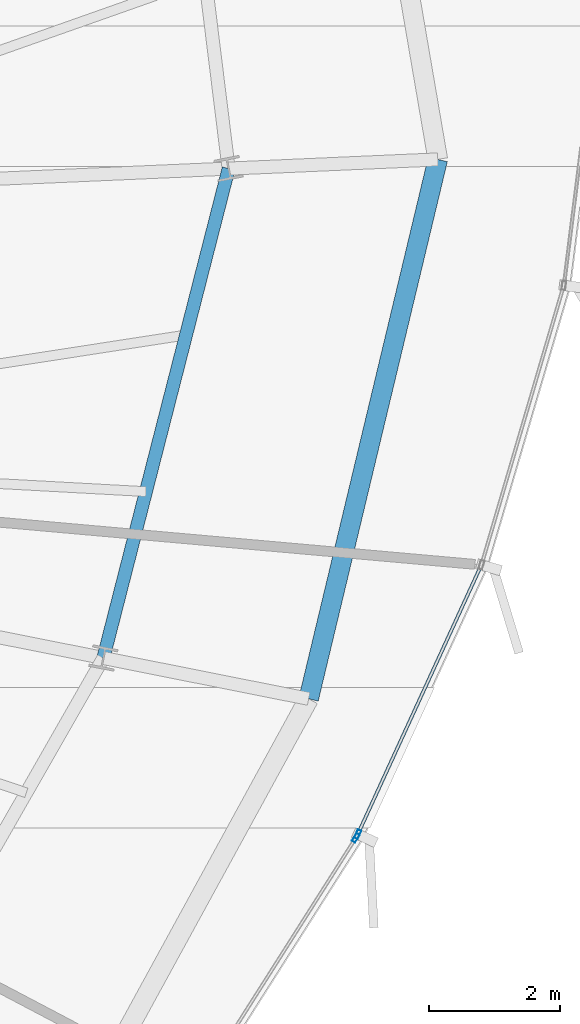
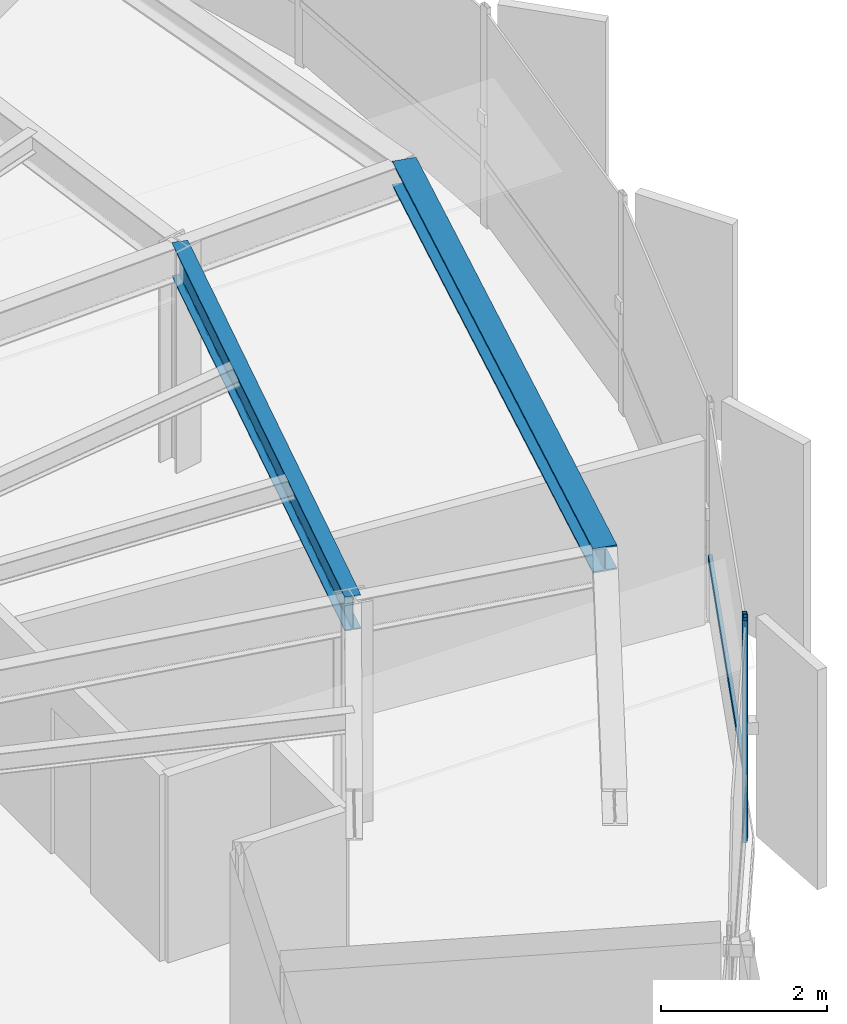
# One storey, part 17 of 34: 3 members, 2 beams, 2 elements without a shape of their own.
"""IFC4 building model written with IfcOpenShell, lengths in metres."""

from ifc_helpers import new_model, si_unit, direction, frame, origin, origin_2d, place, context, subcontext, project, spatial, hollow_rectangle, i_section, extrude, source, transform, mapped, material, layer, layer_set, material_profile, profile_set, type_object, element, aggregate, save


model = new_model("IFC4")

# Units and contexts
model_context = context("Model", 3, precision=1e-05, world=origin(), true_north=direction((0.0, 1.0)))
body_context = subcontext(model_context, "Body", "Model", "MODEL_VIEW")
ifc_project = project(units=[si_unit("LENGTHUNIT", "METRE"), si_unit("AREAUNIT", "SQUARE_METRE"), si_unit("VOLUMEUNIT", "CUBIC_METRE"), si_unit("PLANEANGLEUNIT", "RADIAN"), si_unit("MASSUNIT", "GRAM", prefix="KILO"), si_unit("THERMODYNAMICTEMPERATUREUNIT", "KELVIN")], contexts=[model_context])

# Site, building, storey
site_placement = place(None, origin())
site = spatial("IfcSite", under=ifc_project, at=site_placement, CompositionType="ELEMENT")
building_placement = place(site_placement, origin())
building = spatial("IfcBuilding", under=site, at=building_placement, Name="Kethvar Cultural Tower", CompositionType="ELEMENT")
storey_placement = place(building_placement, frame((0.0, 0.0, 186.89990234375)))
storey = spatial("IfcBuildingStorey", under=building, at=storey_placement, Name="L48", CompositionType="ELEMENT", Elevation=186.89990234375)

# Beams
ifc_material_1 = material(Name="Steel S355J2", Category="steel")
ifc_material_profile_1 = material_profile(ifc_material_1, i_section(OverallWidth=0.199951171875, OverallDepth=0.5, WebThickness=0.01025390625, FlangeThickness=0.01611328125, FilletRadius=0.02099609375, at=origin_2d()), Name="Steel S355J2 — IPE500")
ifc_profile_set_1 = profile_set([ifc_material_profile_1], Name="Steel S355J2 — IPE500")
beam_type_1 = type_object("IfcBeamType", Name="BM-IPE500", PredefinedType="BEAM", material=ifc_profile_set_1)
shared_shape_1 = source(origin(), body_context, "Body", "SweptSolid", [
    extrude(i_section(OverallWidth=0.199951171875, OverallDepth=0.5, WebThickness=0.01025390625, FlangeThickness=0.01611328125, FilletRadius=0.02099609375, at=origin_2d()), origin(), (0.0, 0.0, 1.0), 7.72265625),
])
beam_1_placement = place(storey_placement, frame((64.648681640625, 24.249755859375, 3.008056640625), z_axis=(0.248006445258, 0.968758382214, 0.0), x_axis=(-0.968758382214, 0.248006445258, 0.0)))
element("IfcBeam", 1, at=beam_1_placement, inside=storey, type_object=beam_type_1, Name="L48 Column Ring Tie Beam CR-16", PredefinedType="BEAM", context=body_context, shape_type="MappedRepresentation", body=[
    mapped(shared_shape_1, transform((0.0, 0.0, 0.0), scale=1.0)),
])
ifc_material_profile_2 = material_profile(ifc_material_1, i_section(OverallWidth=0.300048828125, OverallDepth=0.360107421875, WebThickness=0.012451171875, FlangeThickness=0.0224609375, FilletRadius=0.027099609375, at=origin_2d()), Name="Steel S355J2 — HEB360")
ifc_profile_set_2 = profile_set([ifc_material_profile_2], Name="Steel S355J2 — HEB360")
beam_type_2 = type_object("IfcBeamType", Name="BM-SP360", PredefinedType="SPANDREL", material=ifc_profile_set_2)
shared_shape_2 = source(origin(), body_context, "Body", "SweptSolid", [
    extrude(i_section(OverallWidth=0.300048828125, OverallDepth=0.360107421875, WebThickness=0.012451171875, FlangeThickness=0.0224609375, FilletRadius=0.027099609375, at=origin_2d()), origin(), (0.0, 0.0, 1.0), 8.47900390625),
])
beam_2_placement = place(storey_placement, frame((67.787109375, 23.62548828125, 3.078125), z_axis=(0.232794647368, 0.97252591336, 0.0), x_axis=(-0.97252591336, 0.232794647368, 0.0)))
element("IfcBeam", 2, at=beam_2_placement, inside=storey, type_object=beam_type_2, Name="L48 Perimeter Spandrel Beam SP-16", PredefinedType="SPANDREL", context=body_context, shape_type="MappedRepresentation", body=[
    mapped(shared_shape_2, transform((0.0, 0.0, 0.0), scale=1.0)),
])

# Curtain wall, member
ifc_material_2 = material(Name="Aluminium 6063-T6", Category="aluminium")
ifc_layer = layer(ifc_material_2, 0.179931640625, Name="Aluminium 6063-T6", Category="aluminium")
ifc_layer_set = layer_set([ifc_layer], Name="Aluminium 6063-T6 (180 mm)")
curtain_wall_type = type_object("IfcCurtainWallType", Name="CW-SYS-04-Z34", PredefinedType="NOTDEFINED", material=ifc_layer_set)
curtain_wall_1_placement = place(storey_placement, origin())
curtain_wall_1 = element("IfcCurtainWall", 3, at=curtain_wall_1_placement, inside=storey, type_object=curtain_wall_type, Name="L48 Curtain Wall Run 05", PredefinedType="NOTDEFINED")
ifc_material_profile_3 = material_profile(ifc_material_2, hollow_rectangle(XDim=0.06005859375, YDim=0.139892578125, WallThickness=0.0048828125, at=origin_2d()), Name="Aluminium 6063-T6 — RHS140x60x5")
ifc_profile_set_3 = profile_set([ifc_material_profile_3], Name="Aluminium 6063-T6 — RHS140x60x5")
member_type_1 = type_object("IfcMemberType", Name="CW-SYS-04-Z34-MUL", PredefinedType="MULLION", material=ifc_profile_set_3)
shared_shape_3 = source(origin(), body_context, "Body", "SweptSolid", [
    extrude(hollow_rectangle(XDim=0.06005859375, YDim=0.139892578125, WallThickness=0.0048828125, at=origin_2d()), origin(), (0.0, 0.0, 1.0), 3.260009765625),
])
member_1_placement = place(storey_placement, frame((68.5078125, 21.4990234375, 0.0), z_axis=(0.0, 0.0, 1.0), x_axis=(-0.844037891737, 0.536283541899, 0.0)))
member_1 = element("IfcMember", 4, at=member_1_placement, type_object=member_type_1, Name="CW-L48-R05 Mullion 7", PredefinedType="MULLION", context=body_context, shape_type="MappedRepresentation", body=[
    mapped(shared_shape_3, transform((0.0, 0.0, 0.0), scale=1.0)),
])
aggregate(curtain_wall_1, [member_1])

# Curtain wall, members
curtain_wall_2_placement = place(storey_placement, origin())
curtain_wall_2 = element("IfcCurtainWall", 5, at=curtain_wall_2_placement, inside=storey, type_object=curtain_wall_type, Name="L48 Curtain Wall Run 06", PredefinedType="NOTDEFINED")
member_2_placement = place(storey_placement, frame((68.537841796875, 21.55419921875, 0.0), z_axis=(0.0, 0.0, 1.0), x_axis=(-0.90887248936, 0.417074091841, 0.0)))
member_2 = element("IfcMember", 6, at=member_2_placement, type_object=member_type_1, Name="CW-L48-R06 Mullion 1", PredefinedType="MULLION", context=body_context, shape_type="MappedRepresentation", body=[
    mapped(shared_shape_3, transform((0.0, 0.0, 0.0), scale=1.0)),
])
ifc_material_profile_4 = material_profile(ifc_material_2, hollow_rectangle(XDim=0.050048828125, YDim=0.10009765625, WallThickness=0.00390625, at=origin_2d()), Name="Aluminium 6063-T6 — RHS100x50x4")
ifc_profile_set_4 = profile_set([ifc_material_profile_4], Name="Aluminium 6063-T6 — RHS100x50x4")
member_type_2 = type_object("IfcMemberType", Name="CW-SYS-04-Z34-TRN", PredefinedType="USERDEFINED", material=ifc_profile_set_4)
shared_shape_4 = source(origin(), body_context, "Body", "SweptSolid", [
    extrude(hollow_rectangle(XDim=0.050048828125, YDim=0.10009765625, WallThickness=0.00390625, at=origin_2d()), origin(), (0.0, 0.0, 1.0), 4.5),
])
member_3_placement = place(storey_placement, frame((68.53955078125, 21.55810546875, 0.9501953125), z_axis=(0.417103012381, 0.908859217405, 0.0), x_axis=(-0.908859217405, 0.417103012381, 0.0)))
member_3 = element("IfcMember", 7, at=member_3_placement, type_object=member_type_2, Name="CW-L48-R06 Transom 1", ObjectType="TRANSOM", PredefinedType="USERDEFINED", context=body_context, shape_type="MappedRepresentation", body=[
    mapped(shared_shape_4, transform((0.0, 0.0, 0.0), scale=1.0)),
])
aggregate(curtain_wall_2, [member_2, member_3])

save(model, "model.ifc")
